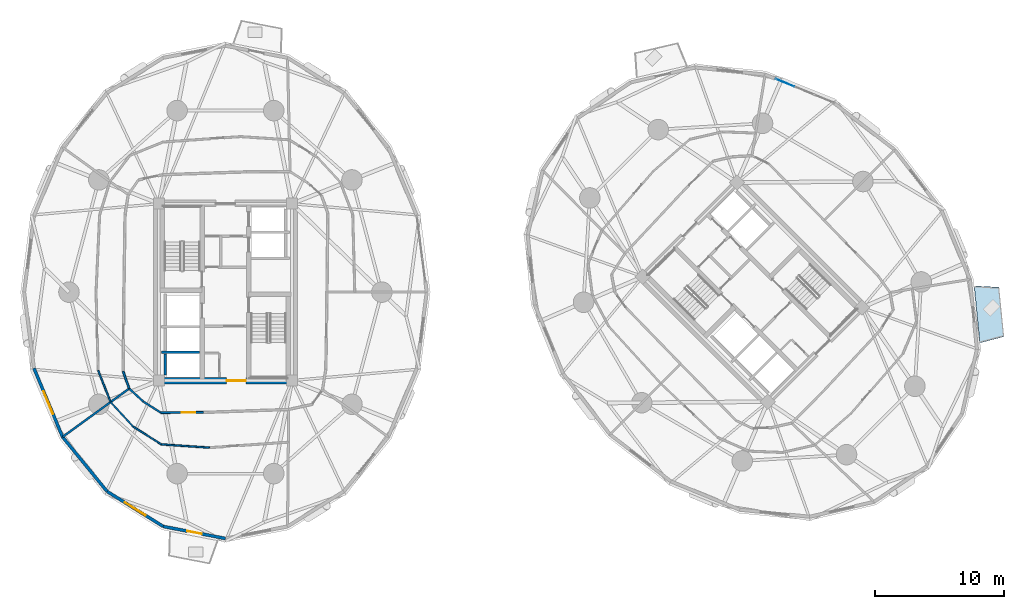
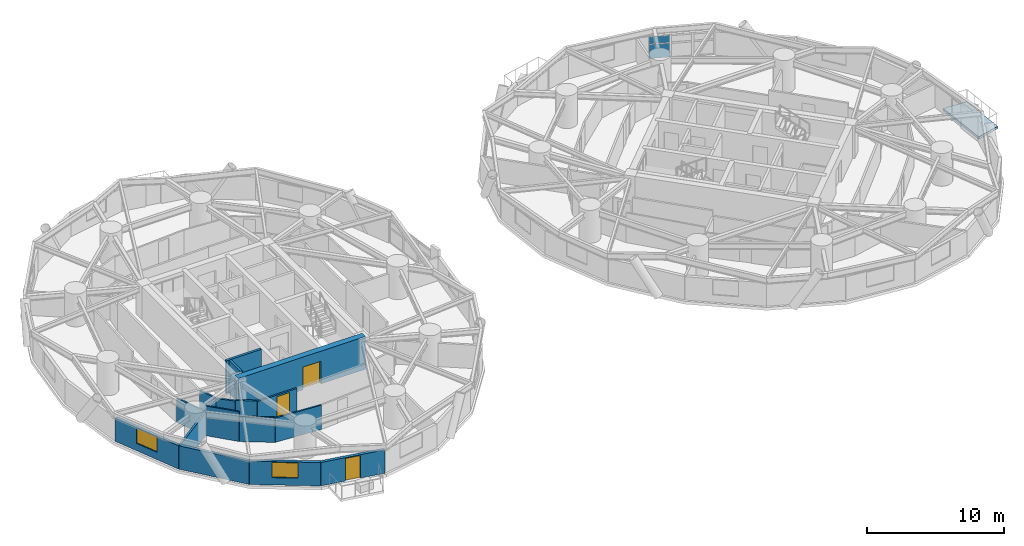
# One storey, part 8 of 17: 16 walls, 3 doors, 2 plates, 2 windows, 1 slab, 5 openings, 1 element without a shape of its own.
"""IFC4 building model written with IfcOpenShell, lengths in metres."""

from ifc_helpers import new_model, si_unit, direction, frame, frame_2d, origin, origin_2d, place, context, subcontext, project, spatial, polyline, rectangle, outline, extrude, source, transform, mapped, material, layer, layer_set, type_object, element, fill, aggregate, save


model = new_model("IFC4")

# Units and contexts
model_context = context("Model", 3, precision=1e-05, world=origin(), true_north=direction((0.0, 1.0)))
body_context = subcontext(model_context, "Body", "Model", "MODEL_VIEW")
ifc_project = project(units=[si_unit("LENGTHUNIT", "METRE"), si_unit("AREAUNIT", "SQUARE_METRE"), si_unit("VOLUMEUNIT", "CUBIC_METRE"), si_unit("PLANEANGLEUNIT", "RADIAN"), si_unit("MASSUNIT", "GRAM", prefix="KILO")], contexts=[model_context])

# Site, building, storey
site_placement = place(None, origin())
site = spatial("IfcSite", under=ifc_project, at=site_placement, CompositionType="ELEMENT")
building_placement = place(site_placement, origin())
building = spatial("IfcBuilding", under=site, at=building_placement, Name="Cununo Teusaquillo Station Towers", CompositionType="ELEMENT")
storey_placement = place(building_placement, frame((0.0, 0.0, 59.830078125)))
storey = spatial("IfcBuildingStorey", under=building, at=storey_placement, Name="L18", CompositionType="ELEMENT", Elevation=59.830078125)

# Slab
ifc_material_1 = material(Name="Concrete C50/60", Category="concrete")
ifc_layer_1 = layer(ifc_material_1, 0.2099609375)
ifc_layer_set_1 = layer_set([ifc_layer_1], Name="Concrete C50/60")
slab_type = type_object("IfcSlabType", Name="SLB-BAL-210", PredefinedType="FLOOR", material=ifc_layer_set_1)
slab_placement = place(storey_placement, frame((0.0, 0.0, -0.2099609375)))
element("IfcSlab", 1, at=slab_placement, inside=storey, type_object=slab_type, Name="L18 Tower B Tree Balcony Slab 2", PredefinedType="FLOOR", context=body_context, shape_type="SweptSolid", body=[
    extrude(outline(polyline([(75.20361328125, 20.547607421875), (74.763427734375, 24.98974609375), (76.69873046875, 24.8798828125), (77.079833984375, 21.034912109375), (75.20361328125, 20.547607421875)])), origin(), (0.0, 0.0, 1.0), 0.2099609375),
])

# Curtain wall, plates
ifc_material_2 = material(Name="Operable acoustic tinted low-E double glazing", Category="glass")
ifc_layer_2 = layer(ifc_material_2, 0.179931640625)
ifc_layer_set_2 = layer_set([ifc_layer_2], Name="Operable acoustic tinted low-E double glazing")
curtain_wall_type = type_object("IfcCurtainWallType", Name="CW-SYS-03", PredefinedType="USERDEFINED", material=ifc_layer_set_2)
curtain_wall_placement = place(storey_placement, origin())
curtain_wall = element("IfcCurtainWall", 2, at=curtain_wall_placement, inside=storey, type_object=curtain_wall_type, Name="L18 Tower B Facade Curtain Wall C01", ObjectType="OPERABLE GLAZING", PredefinedType="USERDEFINED")
ifc_material_3 = material(Name="Operable acoustic tinted low-E double glazing", Category="glass")
ifc_layer_3 = layer(ifc_material_3, 0.031982421875)
ifc_layer_set_3 = layer_set([ifc_layer_3], Name="Operable acoustic tinted low-E double glazing")
plate_type = type_object("IfcPlateType", Name="CWP-OPER-32", PredefinedType="CURTAIN_PANEL", material=ifc_layer_set_3)
shared_shape_1 = source(origin(), body_context, "Body", "SweptSolid", [
    extrude(rectangle(XDim=1.541259765625, YDim=0.031982421875, at=origin_2d()), origin(), (0.0, 0.0, 1.0), 1.241943359375),
])
plate_1_placement = place(storey_placement, frame((60.0556640625, 40.783447265625, 0.06982421875), z_axis=(0.0, 0.0, 1.0), x_axis=(0.924572384299, -0.381006438517, 0.0)))
plate_1 = element("IfcPlate", 3, at=plate_1_placement, type_object=plate_type, Name="CW-03 panel 1.1", PredefinedType="CURTAIN_PANEL", context=body_context, shape_type="MappedRepresentation", body=[
    mapped(shared_shape_1, transform((0.0, 0.0, 0.0), x_axis=(1.0, 0.0, 0.0), y_axis=(0.0, 1.0, 0.0), z_axis=(0.0, 0.0, 1.0), scale=1.0)),
])
shared_shape_2 = source(origin(), body_context, "Body", "SweptSolid", [
    extrude(rectangle(XDim=1.541259765625, YDim=0.031982421875, at=origin_2d()), origin(), (0.0, 0.0, 1.0), 0.62109375),
])
plate_2_placement = place(storey_placement, frame((60.0556640625, 40.783447265625, 1.3818359375), z_axis=(0.0, 0.0, 1.0), x_axis=(0.924572384299, -0.381006438517, 0.0)))
plate_2 = element("IfcPlate", 4, at=plate_2_placement, type_object=plate_type, Name="CW-03 panel 1.2", PredefinedType="CURTAIN_PANEL", context=body_context, shape_type="MappedRepresentation", body=[
    mapped(shared_shape_2, transform((0.0, 0.0, 0.0), x_axis=(1.0, 0.0, 0.0), y_axis=(0.0, 1.0, 0.0), z_axis=(0.0, 0.0, 1.0), scale=1.0)),
])
aggregate(curtain_wall, [plate_1, plate_2])

# Walls
ifc_material_4 = material(Name="Concrete C50/60", Category="concrete")
ifc_layer_4 = layer(ifc_material_4, 0.199951171875)
ifc_layer_set_4 = layer_set([ifc_layer_4], Name="Concrete C50/60")
wall_type_1 = type_object("IfcWallType", Name="WL-CORE-200", PredefinedType="SHEAR", material=ifc_layer_set_4)
wall_1_placement = place(storey_placement, frame((11.52001953125, 19.824951171875, 0.0), z_axis=(0.0, 0.0, 1.0), x_axis=(1.0, 0.0, 0.0)))
element("IfcWall", 5, at=wall_1_placement, inside=storey, type_object=wall_type_1, Name="L18 Tower A High-Rise Lift Hoistway Divider Shear Wall", PredefinedType="SHEAR", context=body_context, shape_type="SweptSolid", body=[
    extrude(rectangle(XDim=2.969970703125, YDim=0.199951171875, at=frame_2d((1.48486328125, 0.0))), origin(), (0.0, 0.0, 1.0), 2.909912109375),
])
wall_2_placement = place(storey_placement, frame((11.820068359375, 18.070068359375, 0.0), z_axis=(0.0, 0.0, 1.0), x_axis=(0.0, 1.0, 0.0)))
element("IfcWall", 6, at=wall_2_placement, inside=storey, type_object=wall_type_1, Name="L18 Tower A High-Rise Lift 1 Shaft Rear Shear Wall", PredefinedType="SHEAR", context=body_context, shape_type="SweptSolid", body=[
    extrude(rectangle(XDim=1.635009765625, YDim=0.199951171875, at=frame_2d((0.8173828125, 0.0))), origin(), (0.0, 0.0, 1.0), 2.909912109375),
])

# Wall, opening, door
ifc_material_5 = material(Name="Concrete C60/75", Category="concrete")
ifc_layer_5 = layer(ifc_material_5, 0.5)
ifc_layer_set_5 = layer_set([ifc_layer_5], Name="Concrete C60/75")
wall_type_2 = type_object("IfcWallType", Name="WL-CORE-500", PredefinedType="SHEAR", material=ifc_layer_set_5)
wall_3_placement = place(storey_placement, frame((11.14990234375, 17.60009765625, 0.0), z_axis=(0.0, 0.0, 1.0), x_axis=(1.0, 0.0, 0.0)))
wall_3 = element("IfcWall", 7, at=wall_3_placement, inside=storey, type_object=wall_type_2, Name="L18 Tower A Core Shear Wall S", PredefinedType="SHEAR", context=body_context, shape_type="SweptSolid", body=[
    extrude(rectangle(XDim=10.7001953125, YDim=0.5, at=frame_2d((5.35009765625, 0.0))), origin(), (0.0, 0.0, 1.0), 2.909912109375),
])
shared_shape_3 = source(origin(), body_context, "Body", "SweptSolid", [
    extrude(rectangle(XDim=1.5, YDim=2.02001953125, at=frame_2d((0.75, 1.010009765625))), frame((0.0, 0.260009765625, 0.0), z_axis=(0.0, -1.0, 0.0), x_axis=(1.0, 0.0, 0.0)), (0.0, 0.0, 1.0), 0.52001953125),
])
opening_1_placement = place(wall_3_placement, frame((5.449951171875, 0.0, 0.0)))
opening_1 = element("IfcOpeningElement", 8, at=opening_1_placement, cuts=wall_3, Name="Opening D-LB1", PredefinedType="OPENING", context=body_context, shape_type="MappedRepresentation", body=[
    mapped(shared_shape_3, transform((0.0, 0.0, 0.0), x_axis=(1.0, 0.0, 0.0), y_axis=(0.0, 1.0, 0.0), z_axis=(0.0, 0.0, 1.0), scale=1.0)),
])
ifc_material_6 = material(Name="Galvanised fire-rated hollow steel door assembly", Category="steel")
door_type_1 = type_object("IfcDoorType", Name="DR-LOBBY-1500", OperationType="DOUBLE_DOOR_SINGLE_SWING", PredefinedType="DOOR", material=ifc_material_6)
shared_shape_4 = source(origin(), body_context, "Body", "SweptSolid", [
    extrude(rectangle(XDim=1.5, YDim=2.02001953125, at=frame_2d((0.75, 1.010009765625))), frame((0.0, 0.02490234375, 0.0), z_axis=(0.0, -1.0, 0.0), x_axis=(1.0, 0.0, 0.0)), (0.0, 0.0, 1.0), 0.050048828125),
])
door_1_placement = place(opening_1_placement, origin())
door_1 = element("IfcDoor", 9, at=door_1_placement, inside=storey, type_object=door_type_1, Name="L18 Tower A South Core Lift Lobby Door", OperationType="DOUBLE_DOOR_SINGLE_SWING", OverallHeight=2.02001953125, OverallWidth=1.5, PredefinedType="DOOR", context=body_context, shape_type="MappedRepresentation", body=[
    mapped(shared_shape_4, transform((0.0, 0.0, 0.0), x_axis=(1.0, 0.0, 0.0), y_axis=(0.0, 1.0, 0.0), z_axis=(0.0, 0.0, 1.0), scale=1.0)),
])
fill(opening_1, door_1)

# Wall, opening, window
ifc_material_7 = material(Name="Precast concrete C40/50", Category="concrete")
ifc_layer_6 = layer(ifc_material_7, 0.239990234375)
ifc_layer_set_6 = layer_set([ifc_layer_6], Name="Precast concrete C40/50")
wall_type_3 = type_object("IfcWallType", Name="WL-EXT-240", PredefinedType="SOLIDWALL", material=ifc_layer_set_6)
wall_4_placement = place(storey_placement, frame((3.828369140625, 13.232177734375, 0.0), z_axis=(0.0, 0.0, 1.0), x_axis=(-0.384348836956, 0.923187939442, 0.0)))
wall_4 = element("IfcWall", 10, at=wall_4_placement, inside=storey, type_object=wall_type_3, Name="L18 Tower A Exterior Facade Wall C11", PredefinedType="SOLIDWALL", context=body_context, shape_type="SweptSolid", body=[
    extrude(rectangle(XDim=5.78857421875, YDim=0.239990234375, at=frame_2d((2.894287109375, 0.0))), origin(), (0.0, 0.0, 1.0), 2.072998046875),
])
shared_shape_5 = source(origin(), body_context, "Body", "SweptSolid", [
    extrude(rectangle(XDim=1.89990234375, YDim=1.35009765625, at=frame_2d((0.949951171875, 0.675048828125))), frame((0.0, 0.1298828125, 0.0), z_axis=(0.0, -1.0, 0.0), x_axis=(1.0, 0.0, 0.0)), (0.0, 0.0, 1.0), 0.260009765625),
])
opening_2_placement = place(wall_4_placement, frame((1.944091796875, 0.0, 0.64990234375)))
opening_2 = element("IfcOpeningElement", 11, at=opening_2_placement, cuts=wall_4, Name="Opening WN-02", PredefinedType="OPENING", context=body_context, shape_type="MappedRepresentation", body=[
    mapped(shared_shape_5, transform((0.0, 0.0, 0.0), x_axis=(1.0, 0.0, 0.0), y_axis=(0.0, 1.0, 0.0), z_axis=(0.0, 0.0, 1.0), scale=1.0)),
])
ifc_material_8 = material(Name="Operable acoustic tinted low-E double glazing", Category="glass")
window_type = type_object("IfcWindowType", Name="WIN-OPER-1900", PartitioningType="DOUBLE_PANEL_VERTICAL", PredefinedType="WINDOW", material=ifc_material_8)
shared_shape_6 = source(origin(), body_context, "Body", "SweptSolid", [
    extrude(rectangle(XDim=1.89990234375, YDim=1.35009765625, at=frame_2d((0.949951171875, 0.675048828125))), frame((0.0, 0.030029296875, 0.0), z_axis=(0.0, -1.0, 0.0), x_axis=(1.0, 0.0, 0.0)), (0.0, 0.0, 1.0), 0.06005859375),
])
window_1_placement = place(opening_2_placement, origin())
window_1 = element("IfcWindow", 12, at=window_1_placement, inside=storey, type_object=window_type, Name="L18 Tower A Facade Window C11", OverallHeight=1.35009765625, OverallWidth=1.89990234375, PartitioningType="DOUBLE_PANEL_VERTICAL", PredefinedType="WINDOW", context=body_context, shape_type="MappedRepresentation", body=[
    mapped(shared_shape_6, transform((0.0, 0.0, 0.0), x_axis=(1.0, 0.0, 0.0), y_axis=(0.0, 1.0, 0.0), z_axis=(0.0, 0.0, 1.0), scale=1.0)),
])
fill(opening_2, window_1)

# Wall
wall_5_placement = place(storey_placement, frame((7.29345703125, 8.9912109375, 0.0), z_axis=(0.0, 0.0, 1.0), x_axis=(-0.632713287022, 0.77438614168, 0.0)))
element("IfcWall", 13, at=wall_5_placement, inside=storey, type_object=wall_type_3, Name="L18 Tower A Exterior Facade Wall C12", PredefinedType="SOLIDWALL", context=body_context, shape_type="SweptSolid", body=[
    extrude(rectangle(XDim=5.4765625, YDim=0.239990234375, at=frame_2d((2.73828125, 0.0))), origin(), (0.0, 0.0, 1.0), 2.072998046875),
])

# Wall, opening, window
wall_6_placement = place(storey_placement, frame((11.659912109375, 6.268310546875, 0.0), z_axis=(0.0, 0.0, 1.0), x_axis=(-0.848533613342, 0.529141481107, 0.0)))
wall_6 = element("IfcWall", 14, at=wall_6_placement, inside=storey, type_object=wall_type_3, Name="L18 Tower A Exterior Facade Wall C13", PredefinedType="SOLIDWALL", context=body_context, shape_type="SweptSolid", body=[
    extrude(rectangle(XDim=5.14599609375, YDim=0.239990234375, at=frame_2d((2.572998046875, 0.0))), origin(), (0.0, 0.0, 1.0), 2.072998046875),
])
opening_3_placement = place(wall_6_placement, frame((1.623046875, 0.0, 0.64990234375)))
opening_3 = element("IfcOpeningElement", 15, at=opening_3_placement, cuts=wall_6, Name="Opening WN-02", PredefinedType="OPENING", context=body_context, shape_type="MappedRepresentation", body=[
    mapped(shared_shape_5, transform((0.0, 0.0, 0.0), x_axis=(1.0, 0.0, 0.0), y_axis=(0.0, 1.0, 0.0), z_axis=(0.0, 0.0, 1.0), scale=1.0)),
])
window_2_placement = place(opening_3_placement, origin())
window_2 = element("IfcWindow", 16, at=window_2_placement, inside=storey, type_object=window_type, Name="L18 Tower A Facade Window C13", OverallHeight=1.35009765625, OverallWidth=1.89990234375, PartitioningType="DOUBLE_PANEL_VERTICAL", PredefinedType="WINDOW", context=body_context, shape_type="MappedRepresentation", body=[
    mapped(shared_shape_6, transform((0.0, 0.0, 0.0), x_axis=(1.0, 0.0, 0.0), y_axis=(0.0, 1.0, 0.0), z_axis=(0.0, 0.0, 1.0), scale=1.0)),
])
fill(opening_3, window_2)

# Wall, opening, door
wall_7_placement = place(storey_placement, frame((16.5, 5.330078125, 0.0), z_axis=(0.0, 0.0, 1.0), x_axis=(-0.981725274071, 0.190303668512, 0.0)))
wall_7 = element("IfcWall", 17, at=wall_7_placement, inside=storey, type_object=wall_type_3, Name="L18 Tower A Exterior Facade Wall C14", PredefinedType="SOLIDWALL", context=body_context, shape_type="SweptSolid", body=[
    extrude(rectangle(XDim=4.93017578125, YDim=0.239990234375, at=frame_2d((2.465087890625, 0.0))), origin(), (0.0, 0.0, 1.0), 2.072998046875),
])
shared_shape_7 = source(origin(), body_context, "Body", "SweptSolid", [
    extrude(rectangle(XDim=1.14990234375, YDim=2.0048828125, at=frame_2d((0.574951171875, 1.00244140625))), frame((0.0, 0.1298828125, 0.0), z_axis=(0.0, -1.0, 0.0), x_axis=(1.0, 0.0, 0.0)), (0.0, 0.0, 1.0), 0.260009765625),
])
opening_4_placement = place(wall_7_placement, frame((1.889892578125, 0.0, 0.0)))
opening_4 = element("IfcOpeningElement", 18, at=opening_4_placement, cuts=wall_7, Name="Opening ED-03", PredefinedType="OPENING", context=body_context, shape_type="MappedRepresentation", body=[
    mapped(shared_shape_7, transform((0.0, 0.0, 0.0), x_axis=(1.0, 0.0, 0.0), y_axis=(0.0, 1.0, 0.0), z_axis=(0.0, 0.0, 1.0), scale=1.0)),
])
ifc_material_9 = material(Name="Anodised dark bronze aluminium EN AW-6063-T6", Category="aluminium")
door_type_2 = type_object("IfcDoorType", Name="DR-EXT-BAL", OperationType="NOTDEFINED", PredefinedType="DOOR", material=ifc_material_9)
shared_shape_8 = source(origin(), body_context, "Body", "SweptSolid", [
    extrude(rectangle(XDim=1.14990234375, YDim=2.0048828125, at=frame_2d((0.574951171875, 1.00244140625))), frame((0.0, 0.02490234375, 0.0), z_axis=(0.0, -1.0, 0.0), x_axis=(1.0, 0.0, 0.0)), (0.0, 0.0, 1.0), 0.050048828125),
])
door_2_placement = place(opening_4_placement, origin())
door_2 = element("IfcDoor", 19, at=door_2_placement, inside=storey, type_object=door_type_2, Name="L18 Tower A Tree Balcony Door C14", OperationType="SINGLE_SWING_LEFT", OverallHeight=2.0048828125, OverallWidth=1.14990234375, PredefinedType="DOOR", context=body_context, shape_type="MappedRepresentation", body=[
    mapped(shared_shape_8, transform((0.0, 0.0, 0.0), x_axis=(1.0, 0.0, 0.0), y_axis=(0.0, 1.0, 0.0), z_axis=(0.0, 0.0, 1.0), scale=1.0)),
])
fill(opening_4, door_2)

# Walls
ifc_material_10 = material(Name="Fire-rated gypsum plasterboard partition assembly", Category="gypsum")
ifc_layer_7 = layer(ifc_material_10, 0.125)
ifc_layer_set_7 = layer_set([ifc_layer_7], Name="Fire-rated gypsum plasterboard partition assembly")
wall_type_4 = type_object("IfcWallType", Name="WL-PART-125", PredefinedType="PARTITIONING", material=ifc_layer_set_7)
wall_8_placement = place(storey_placement, frame((6.601806640625, 18.406494140625, 0.0), z_axis=(0.0, 0.0, 1.0), x_axis=(0.363943166681, -0.931421156849, 0.0)))
element("IfcWall", 20, at=wall_8_placement, inside=storey, type_object=wall_type_4, Name="L18 Tower A Hotel Concierge & Library Club Concentric Partition Wall C11", PredefinedType="PARTITIONING", context=body_context, shape_type="SweptSolid", body=[
    extrude(rectangle(XDim=2.643798828125, YDim=0.125, at=frame_2d((1.32177734375, 0.0))), origin(), (0.0, 0.0, 1.0), 2.158935546875),
])
wall_9_placement = place(storey_placement, frame((7.56396484375, 15.944091796875, 0.0), z_axis=(0.0, 0.0, 1.0), x_axis=(0.677781429023, -0.735263445624, 0.0)))
element("IfcWall", 21, at=wall_9_placement, inside=storey, type_object=wall_type_4, Name="L18 Tower A Hotel Executive Conference Salon Concentric Partition Wall C12", PredefinedType="PARTITIONING", context=body_context, shape_type="SweptSolid", body=[
    extrude(rectangle(XDim=2.603515625, YDim=0.125, at=frame_2d((1.3017578125, 0.0))), origin(), (0.0, 0.0, 1.0), 2.635009765625),
])
wall_10_placement = place(storey_placement, frame((9.32861328125, 14.02978515625, 0.0), z_axis=(0.0, 0.0, 1.0), x_axis=(0.846499184235, -0.532390017834, 0.0)))
element("IfcWall", 22, at=wall_10_placement, inside=storey, type_object=wall_type_4, Name="L18 Tower A Hotel Executive Conference Salon Concentric Partition Wall C13", PredefinedType="PARTITIONING", context=body_context, shape_type="SweptSolid", body=[
    extrude(rectangle(XDim=2.5859375, YDim=0.125, at=frame_2d((1.29296875, 0.0))), origin(), (0.0, 0.0, 1.0), 2.204833984375),
])
wall_11_placement = place(storey_placement, frame((11.517578125, 12.653076171875, 0.0), z_axis=(0.0, 0.0, 1.0), x_axis=(0.997709106843, -0.067650115472, 0.0)))
element("IfcWall", 23, at=wall_11_placement, inside=storey, type_object=wall_type_4, Name="L18 Tower A Hotel Executive Conference Salon Concentric Partition Wall C14", PredefinedType="PARTITIONING", context=body_context, shape_type="SweptSolid", body=[
    extrude(rectangle(XDim=3.753173828125, YDim=0.125, at=frame_2d((1.87646484375, 0.0))), origin(), (0.0, 0.0, 1.0), 2.158935546875),
])
ifc_material_11 = material(Name="Fire-rated gypsum plasterboard partition assembly", Category="gypsum")
ifc_layer_8 = layer(ifc_material_11, 0.14990234375)
ifc_layer_set_8 = layer_set([ifc_layer_8], Name="Fire-rated gypsum plasterboard partition assembly")
wall_type_5 = type_object("IfcWallType", Name="WL-PART-150", PredefinedType="PARTITIONING", material=ifc_layer_set_8)
wall_12_placement = place(storey_placement, frame((8.538330078125, 18.338134765625, 0.0), z_axis=(0.0, 0.0, 1.0), x_axis=(0.331358150167, -0.94350504838, 0.0)))
element("IfcWall", 24, at=wall_12_placement, inside=storey, type_object=wall_type_5, Name="L18 Tower A Corridor Ring Wall C11", PredefinedType="PARTITIONING", context=body_context, shape_type="SweptSolid", body=[
    extrude(rectangle(XDim=1.42431640625, YDim=0.14990234375, at=frame_2d((0.712158203125, 0.0))), origin(), (0.0, 0.0, 1.0), 2.204833984375),
])
wall_13_placement = place(storey_placement, frame((9.01025390625, 16.994384765625, 0.0), z_axis=(0.0, 0.0, 1.0), x_axis=(0.737701798986, -0.67512669609, 0.0)))
element("IfcWall", 25, at=wall_13_placement, inside=storey, type_object=wall_type_5, Name="L18 Tower A Corridor Ring Wall C12", PredefinedType="PARTITIONING", context=body_context, shape_type="SweptSolid", body=[
    extrude(rectangle(XDim=1.498291015625, YDim=0.14990234375, at=frame_2d((0.7490234375, 0.0))), origin(), (0.0, 0.0, 1.0), 2.158935546875),
])
wall_14_placement = place(storey_placement, frame((10.115478515625, 15.98291015625, 0.0), z_axis=(0.0, 0.0, 1.0), x_axis=(0.843995849351, -0.536349705209, 0.0)))
element("IfcWall", 26, at=wall_14_placement, inside=storey, type_object=wall_type_5, Name="L18 Tower A Corridor Ring Wall C13", PredefinedType="PARTITIONING", context=body_context, shape_type="SweptSolid", body=[
    extrude(rectangle(XDim=1.5927734375, YDim=0.14990234375, at=frame_2d((0.79638671875, 0.0))), origin(), (0.0, 0.0, 1.0), 2.204833984375),
])

# Wall, opening, door
wall_15_placement = place(storey_placement, frame((11.459716796875, 15.128662109375, 0.0), z_axis=(0.0, 0.0, 1.0), x_axis=(0.999993513287, 0.003601858435, 0.0)))
wall_15 = element("IfcWall", 27, at=wall_15_placement, inside=storey, type_object=wall_type_5, Name="L18 Tower A Corridor Ring Wall C14", PredefinedType="PARTITIONING", context=body_context, shape_type="SweptSolid", body=[
    extrude(rectangle(XDim=3.3212890625, YDim=0.14990234375, at=frame_2d((1.66064453125, 0.0))), origin(), (0.0, 0.0, 1.0), 2.158935546875),
])
shared_shape_9 = source(origin(), body_context, "Body", "SweptSolid", [
    extrude(rectangle(XDim=1.050048828125, YDim=2.014892578125, at=frame_2d((0.52490234375, 1.00732421875))), frame((0.0, 0.0849609375, 0.0), z_axis=(0.0, -1.0, 0.0), x_axis=(1.0, 0.0, 0.0)), (0.0, 0.0, 1.0), 0.169921875),
])
opening_5_placement = place(wall_15_placement, frame((1.643310546875, 0.0, 0.0)))
opening_5 = element("IfcOpeningElement", 28, at=opening_5_placement, cuts=wall_15, Name="Opening D-SU1", PredefinedType="OPENING", context=body_context, shape_type="MappedRepresentation", body=[
    mapped(shared_shape_9, transform((0.0, 0.0, 0.0), x_axis=(1.0, 0.0, 0.0), y_axis=(0.0, 1.0, 0.0), z_axis=(0.0, 0.0, 1.0), scale=1.0)),
])
ifc_material_12 = material(Name="Acoustic solid-core hardwood leaf assembly", Category="wood")
door_type_3 = type_object("IfcDoorType", Name="DR-SUITE-1050", OperationType="NOTDEFINED", PredefinedType="DOOR", material=ifc_material_12)
shared_shape_10 = source(origin(), body_context, "Body", "SweptSolid", [
    extrude(rectangle(XDim=1.050048828125, YDim=2.014892578125, at=frame_2d((0.52490234375, 1.00732421875))), frame((0.0, 0.02490234375, 0.0), z_axis=(0.0, -1.0, 0.0), x_axis=(1.0, 0.0, 0.0)), (0.0, 0.0, 1.0), 0.050048828125),
])
door_3_placement = place(opening_5_placement, origin())
door_3 = element("IfcDoor", 29, at=door_3_placement, inside=storey, type_object=door_type_3, Name="L18 Tower A Hotel Executive Conference Salon Entrance Door", OperationType="SINGLE_SWING_RIGHT", OverallHeight=2.014892578125, OverallWidth=1.050048828125, PredefinedType="DOOR", context=body_context, shape_type="MappedRepresentation", body=[
    mapped(shared_shape_10, transform((0.0, 0.0, 0.0), x_axis=(1.0, 0.0, 0.0), y_axis=(0.0, 1.0, 0.0), z_axis=(0.0, 0.0, 1.0), scale=1.0)),
])
fill(opening_5, door_3)

# Wall
ifc_material_13 = material(Name="Fire-rated gypsum plasterboard partition assembly", Category="gypsum")
ifc_layer_9 = layer(ifc_material_13, 0.159912109375)
ifc_layer_set_9 = layer_set([ifc_layer_9], Name="Fire-rated gypsum plasterboard partition assembly")
wall_type_6 = type_object("IfcWallType", Name="WL-PART-160", PredefinedType="PARTITIONING", material=ifc_layer_set_9)
wall_16_placement = place(storey_placement, frame((9.01025390625, 16.994384765625, 0.0), z_axis=(0.0, 0.0, 1.0), x_axis=(-0.809215422166, -0.58751204288, 0.0)))
element("IfcWall", 30, at=wall_16_placement, inside=storey, type_object=wall_type_6, Name="L18 Tower A Radial Suite Partition R04", PredefinedType="PARTITIONING", context=body_context, shape_type="SweptSolid", body=[
    extrude(rectangle(XDim=6.3837890625, YDim=0.159912109375, at=frame_2d((3.19189453125, 0.0))), origin(), (0.0, 0.0, 1.0), 2.072998046875),
])

save(model, "model.ifc")
